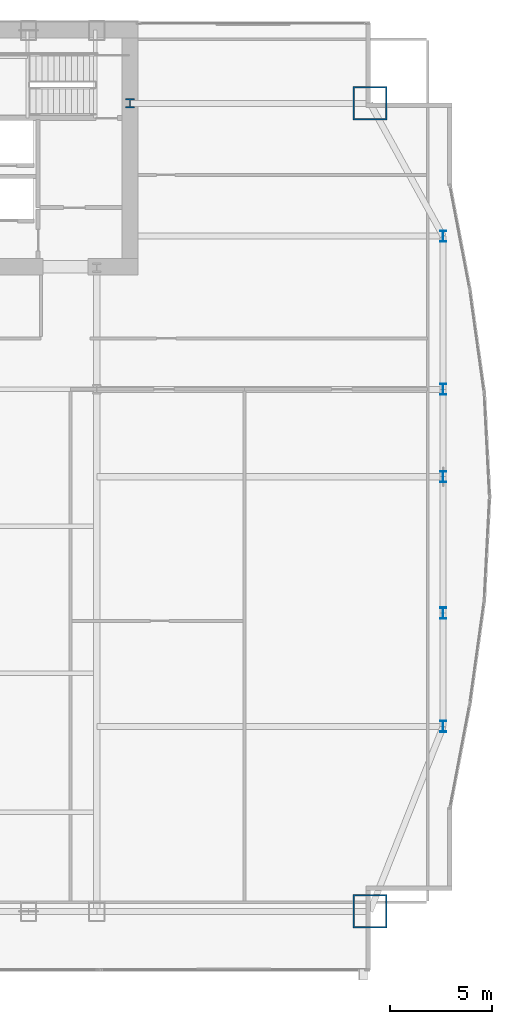
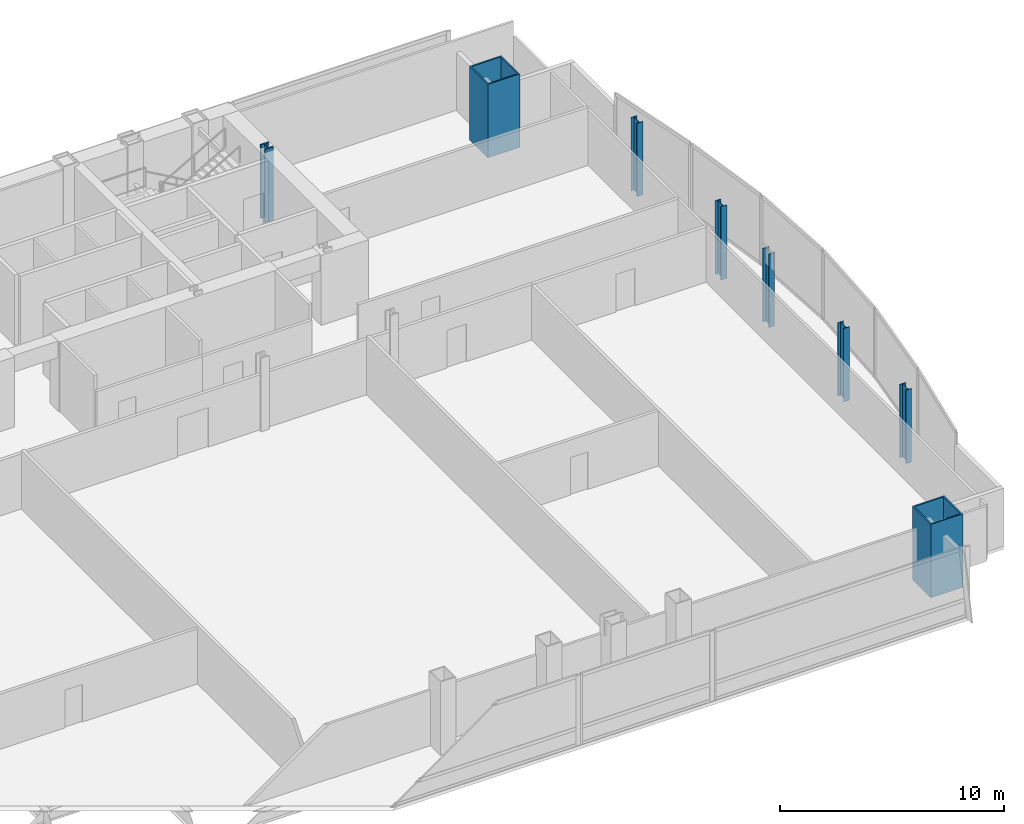
# One storey, part 4 of 37: 8 columns.
"""IFC4 building model written with IfcOpenShell, lengths in metres."""

from ifc_helpers import new_model, si_unit, direction, frame, origin, origin_2d, place, context, subcontext, project, spatial, hollow_rectangle, i_section, extrude, material, material_profile, profile_set, type_object, element, save


model = new_model("IFC4")

# Units and contexts
model_context = context("Model", 3, precision=1e-05, world=origin(), true_north=direction((0.0, 1.0)))
body_context = subcontext(model_context, "Body", "Model", "MODEL_VIEW")
ifc_project = project(units=[si_unit("LENGTHUNIT", "METRE"), si_unit("AREAUNIT", "SQUARE_METRE"), si_unit("VOLUMEUNIT", "CUBIC_METRE"), si_unit("PLANEANGLEUNIT", "RADIAN"), si_unit("MASSUNIT", "GRAM", prefix="KILO")], contexts=[model_context])

# Site, building, storey
site_placement = place(None, origin())
site = spatial("IfcSite", under=ifc_project, at=site_placement, CompositionType="ELEMENT")
building_placement = place(site_placement, origin())
building = spatial("IfcBuilding", under=site, at=building_placement, Name="Khoronbel Lancet Exchange", CompositionType="ELEMENT")
storey_placement = place(building_placement, frame((0.0, 0.0, 45.800048828125)))
storey = spatial("IfcBuildingStorey", under=building, at=storey_placement, Name="L10", CompositionType="ELEMENT", Elevation=45.800048828125)

# Columns
ifc_material_1 = material(Name="Steel S460", Category="steel")
ifc_material_profile_1 = material_profile(ifc_material_1, i_section(OverallWidth=0.424072265625, OverallDepth=0.47412109375, WebThickness=0.047607421875, FlangeThickness=0.076904296875, at=origin_2d()), Name="HD 400x634")
ifc_profile_set_1 = profile_set([ifc_material_profile_1], Name="Steel S460")
column_type_1 = type_object("IfcColumnType", Name="COL-IC1", PredefinedType="COLUMN", material=ifc_profile_set_1)
column_placement = place(storey_placement, frame((56.300048828125, 49.699951171875, 0.0), z_axis=(0.0, 0.0, 1.0), x_axis=(1.0, 0.0, 0.0)))
element("IfcColumn", 1, at=column_placement, inside=storey, type_object=column_type_1, Name="Core-flank plumb transfer column CFE L10", PredefinedType="COLUMN", context=body_context, shape_type="SweptSolid", body=[
    extrude(i_section(OverallWidth=0.424072265625, OverallDepth=0.47412109375, WebThickness=0.047607421875, FlangeThickness=0.076904296875, at=origin_2d()), origin(), (0.0, 0.0, 1.0), 4.0),
])
ifc_material_2 = material(Name="Steel S355", Category="steel")
ifc_material_profile_2 = material_profile(ifc_material_2, i_section(OverallWidth=0.300048828125, OverallDepth=0.550048828125, WebThickness=0.014892578125, FlangeThickness=0.029052734375, at=origin_2d()), Name="HEB 550")
ifc_profile_set_2 = profile_set([ifc_material_profile_2], Name="Steel S355")
column_type_2 = type_object("IfcColumnType", Name="COL-LC1", PredefinedType="COLUMN", material=ifc_profile_set_2)
for number, where, z_axis, x_axis, name in (
    (2, (71.6298828125, 19.199951171875, 0.0), (0.0, 0.0, 1.0), (1.0, 0.0, 0.0), "Structural column EC-1 L10"),
    (3, (71.6298828125, 24.75, 0.0), (0.0, 0.0, 1.0), (1.0, 0.0, 0.0), "Structural column EC-2 L10"),
    (4, (71.6298828125, 31.425048828125, 0.0), (0.0, 0.0, 1.0), (1.0, 0.0, 0.0), "Structural column EC-M L10"),
    (5, (71.6298828125, 35.699951171875, 0.0), (0.0, 0.0, 1.0), (1.0, 0.0, 0.0), "Structural column EC-3 L10"),
    (6, (71.6298828125, 43.199951171875, 0.0), (0.0, 0.0, 1.0), (1.0, 0.0, 0.0), "Structural column EC-4 L10"),
):
    element("IfcColumn", number, at=place(storey_placement, frame(where, z_axis=z_axis, x_axis=x_axis)), inside=storey, type_object=column_type_2, Name=name, PredefinedType="COLUMN", context=body_context, shape_type="SweptSolid", body=[
        extrude(i_section(OverallWidth=0.300048828125, OverallDepth=0.550048828125, WebThickness=0.014892578125, FlangeThickness=0.029052734375, at=origin_2d()), origin(), (0.0, 0.0, 1.0), 4.0),
    ])
ifc_material_profile_3 = material_profile(ifc_material_1, hollow_rectangle(XDim=1.64990234375, YDim=1.64990234375, WallThickness=0.074951171875, at=origin_2d()), Name="BOX 1650x1650x75")
ifc_profile_set_3 = profile_set([ifc_material_profile_3], Name="Steel S460")
column_type_3 = type_object("IfcColumnType", Name="COL-MC2", PredefinedType="COLUMN", material=ifc_profile_set_3)
for number, where, z_axis, x_axis, name in (
    (7, (68.050048828125, 10.14990234375, 0.0), (0.0, 0.0, 1.0), (1.0, 0.0, 0.0), "Structural column MC-SE L10"),
    (8, (68.050048828125, 49.699951171875, 0.0), (0.0, 0.0, 1.0), (1.0, 0.0, 0.0), "Structural column MC-NE L10"),
):
    element("IfcColumn", number, at=place(storey_placement, frame(where, z_axis=z_axis, x_axis=x_axis)), inside=storey, type_object=column_type_3, Name=name, PredefinedType="COLUMN", context=body_context, shape_type="SweptSolid", body=[
        extrude(hollow_rectangle(XDim=1.64990234375, YDim=1.64990234375, WallThickness=0.074951171875, at=origin_2d()), origin(), (0.0, 0.0, 1.0), 4.0),
    ])

save(model, "model.ifc")
